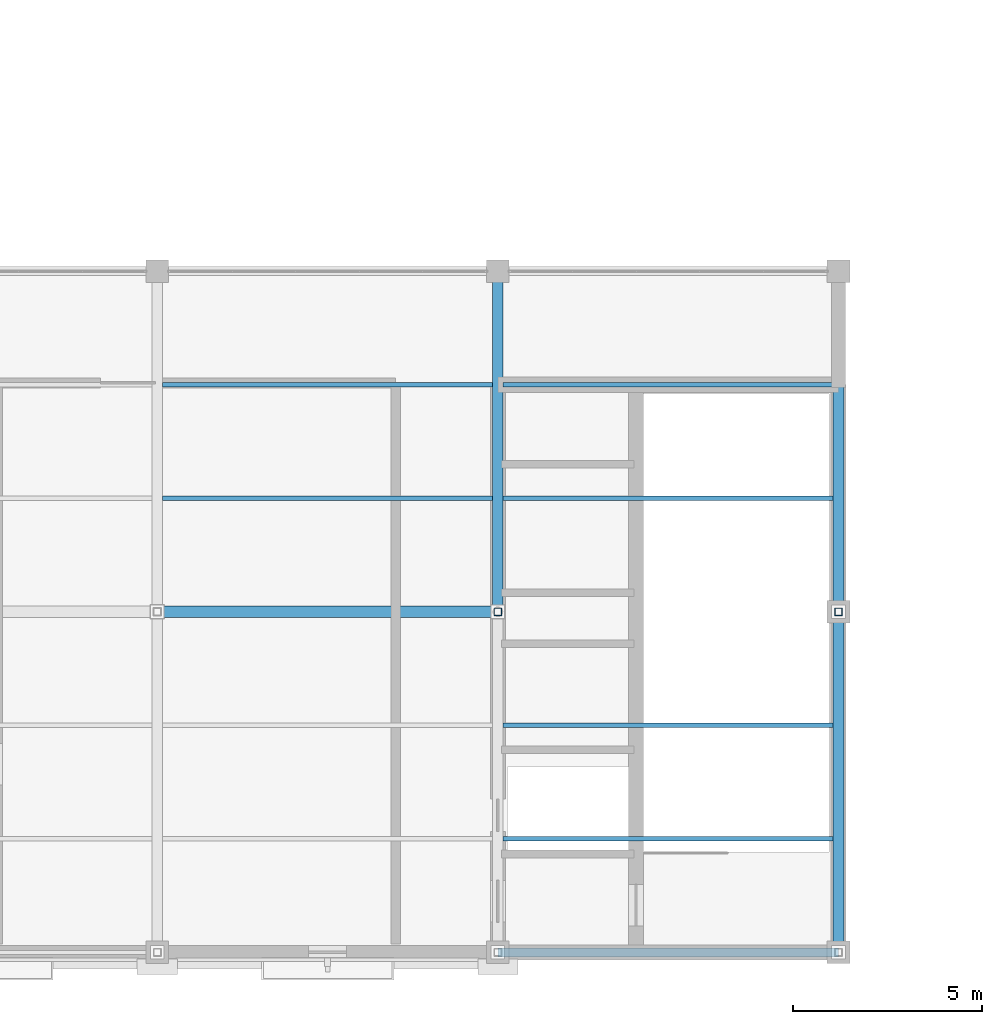
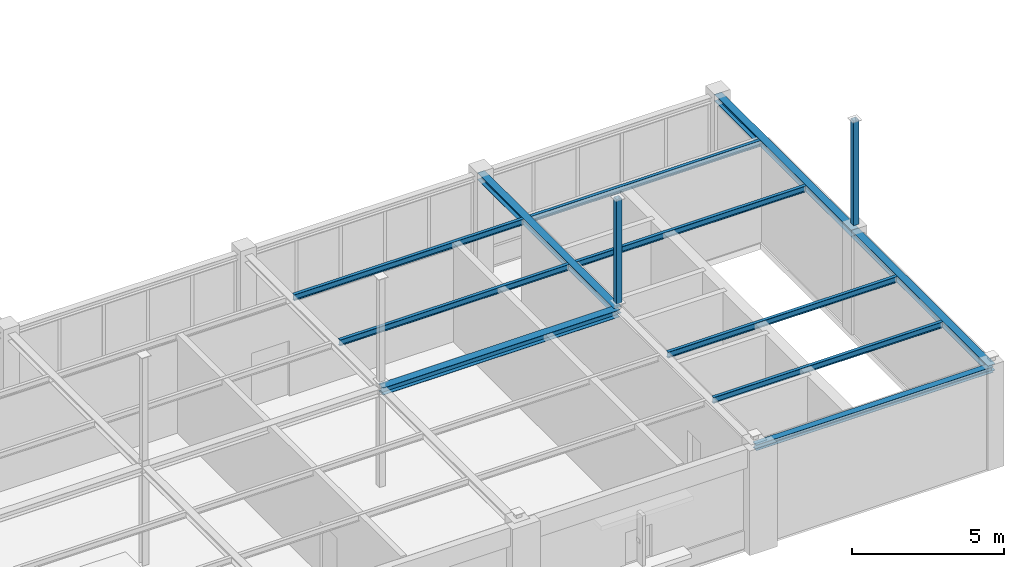
# One storey, part 42 of 97: 11 beams, 2 members.
"""IFC4 building model written with IfcOpenShell, lengths in metres."""

from ifc_helpers import new_model, si_unit, direction, frame, origin, origin_2d, place, context, subcontext, project, spatial, hollow_rectangle, i_section, extrude, material, material_profile, profile_set, type_object, element, save


model = new_model("IFC4")

# Units and contexts
model_context = context("Model", 3, precision=1e-05, world=origin(), true_north=direction((0.0, 1.0)))
body_context = subcontext(model_context, "Body", "Model", "MODEL_VIEW")
ifc_project = project(units=[si_unit("LENGTHUNIT", "METRE"), si_unit("AREAUNIT", "SQUARE_METRE"), si_unit("VOLUMEUNIT", "CUBIC_METRE"), si_unit("PLANEANGLEUNIT", "RADIAN"), si_unit("MASSUNIT", "GRAM", prefix="KILO")], contexts=[model_context])

# Site, building, storey
site_placement = place(None, origin())
site = spatial("IfcSite", under=ifc_project, at=site_placement, CompositionType="ELEMENT")
building_placement = place(site_placement, origin())
building = spatial("IfcBuilding", under=site, at=building_placement, Name="Lykobir Media Centre", CompositionType="ELEMENT")
storey_placement = place(building_placement, frame((0.0, 0.0, 23.39990234375)))
storey = spatial("IfcBuildingStorey", under=building, at=storey_placement, Name="L05", CompositionType="ELEMENT", Elevation=23.39990234375)

# Beams
ifc_material = material(Name="Steel S355", Category="steel")
ifc_material_profile_1 = material_profile(ifc_material, i_section(OverallWidth=0.280029296875, OverallDepth=0.27001953125, WebThickness=0.008056640625, FlangeThickness=0.012939453125, at=origin_2d()), Name="HEA 280")
ifc_profile_set_1 = profile_set([ifc_material_profile_1], Name="Steel S355")
beam_type_1 = type_object("IfcBeamType", Name="BM-HEA280", PredefinedType="BEAM", material=ifc_profile_set_1)
for number, where, z_axis, x_axis, name in (
    (1, (117.0, 9.0, 3.84521484375), (0.0, 1.0, 0.0), (-1.0, 0.0, 0.0), "Beam BM-L05-1170-0090-1170-0180-2724"),
    (2, (126.0, 0.0, 3.84521484375), (0.0, 1.0, 0.0), (-1.0, 0.0, 0.0), "Beam BM-L05-1260-0000-1260-0090-2724"),
    (3, (126.0, 9.0, 3.84521484375), (0.0, 1.0, 0.0), (-1.0, 0.0, 0.0), "Beam BM-L05-1260-0090-1260-0180-2724"),
):
    element("IfcBeam", number, at=place(storey_placement, frame(where, z_axis=z_axis, x_axis=x_axis)), inside=storey, type_object=beam_type_1, Name=name, PredefinedType="BEAM", context=body_context, shape_type="SweptSolid", body=[
        extrude(i_section(OverallWidth=0.280029296875, OverallDepth=0.27001953125, WebThickness=0.008056640625, FlangeThickness=0.012939453125, at=origin_2d()), origin(), (0.0, 0.0, 1.0), 9.0),
    ])
ifc_material_profile_2 = material_profile(ifc_material, i_section(OverallWidth=0.300048828125, OverallDepth=0.2900390625, WebThickness=0.008544921875, FlangeThickness=0.013916015625, at=origin_2d()), Name="HEA 300")
ifc_profile_set_2 = profile_set([ifc_material_profile_2], Name="Steel S355")
beam_type_2 = type_object("IfcBeamType", Name="BM-HEA300", PredefinedType="BEAM", material=ifc_profile_set_2)
beam_1_placement = place(storey_placement, frame((108.0, 9.0, 3.835205078125), z_axis=(1.0, 0.0, 0.0), x_axis=(0.0, 1.0, 0.0)))
element("IfcBeam", 4, at=beam_1_placement, inside=storey, type_object=beam_type_2, Name="Beam BM-L05-1080-0090-1170-0090-2724", PredefinedType="BEAM", context=body_context, shape_type="SweptSolid", body=[
    extrude(i_section(OverallWidth=0.300048828125, OverallDepth=0.2900390625, WebThickness=0.008544921875, FlangeThickness=0.013916015625, at=origin_2d()), origin(), (0.0, 0.0, 1.0), 9.0),
])
ifc_material_profile_3 = material_profile(ifc_material, i_section(OverallWidth=0.1201171875, OverallDepth=0.239990234375, WebThickness=0.006103515625, FlangeThickness=0.009765625, at=origin_2d()), Name="IPE 240")
ifc_profile_set_3 = profile_set([ifc_material_profile_3], Name="Steel S355")
beam_type_3 = type_object("IfcBeamType", Name="JS-IPE240", PredefinedType="JOIST", material=ifc_profile_set_3)
for number, where, z_axis, x_axis, name in (
    (5, (108.139892578125, 12.0, 3.860107421875), (1.0, 0.0, 0.0), (0.0, 1.0, 0.0), "Beam BM-L05-1081-0120-1169-0120-2726"),
    (6, (108.139892578125, 15.0, 3.860107421875), (1.0, 0.0, 0.0), (0.0, 1.0, 0.0), "Beam BM-L05-1081-0150-1169-0150-2726"),
    (7, (117.139892578125, 3.0, 3.860107421875), (1.0, 0.0, 0.0), (0.0, 1.0, 0.0), "Beam BM-L05-1171-0030-1259-0030-2726"),
    (8, (117.139892578125, 6.0, 3.860107421875), (1.0, 0.0, 0.0), (0.0, 1.0, 0.0), "Beam BM-L05-1171-0060-1259-0060-2726"),
    (9, (117.139892578125, 12.0, 3.860107421875), (1.0, 0.0, 0.0), (0.0, 1.0, 0.0), "Beam BM-L05-1171-0120-1259-0120-2726"),
    (10, (117.139892578125, 15.0, 3.860107421875), (1.0, 0.0, 0.0), (0.0, 1.0, 0.0), "Beam BM-L05-1171-0150-1259-0150-2726"),
):
    element("IfcBeam", number, at=place(storey_placement, frame(where, z_axis=z_axis, x_axis=x_axis)), inside=storey, type_object=beam_type_3, Name=name, PredefinedType="JOIST", context=body_context, shape_type="SweptSolid", body=[
        extrude(i_section(OverallWidth=0.1201171875, OverallDepth=0.239990234375, WebThickness=0.006103515625, FlangeThickness=0.009765625, at=origin_2d()), origin(), (0.0, 0.0, 1.0), 8.72021484375),
    ])
ifc_material_profile_4 = material_profile(ifc_material, i_section(OverallWidth=0.239990234375, OverallDepth=0.22998046875, WebThickness=0.007568359375, FlangeThickness=0.011962890625, at=origin_2d()), Name="HEA 240")
ifc_profile_set_4 = profile_set([ifc_material_profile_4], Name="Steel S355")
beam_type_4 = type_object("IfcBeamType", Name="SP-HEA240-E", PredefinedType="SPANDREL", material=ifc_profile_set_4)
beam_2_placement = place(storey_placement, frame((117.0, 0.0, 3.864990234375), z_axis=(1.0, 0.0, 0.0), x_axis=(0.0, 1.0, 0.0)))
element("IfcBeam", 11, at=beam_2_placement, inside=storey, type_object=beam_type_4, Name="Beam BM-L05-1170-0000-1260-0000-2726", PredefinedType="SPANDREL", context=body_context, shape_type="SweptSolid", body=[
    extrude(i_section(OverallWidth=0.239990234375, OverallDepth=0.22998046875, WebThickness=0.007568359375, FlangeThickness=0.011962890625, at=origin_2d()), origin(), (0.0, 0.0, 1.0), 9.0),
])

# Members
ifc_material_profile_5 = material_profile(ifc_material, hollow_rectangle(XDim=0.199951171875, YDim=0.199951171875, WallThickness=0.010009765625, at=origin_2d()), Name="SHS 200x200x10")
ifc_profile_set_5 = profile_set([ifc_material_profile_5], Name="Steel S355")
member_type = type_object("IfcMemberType", Name="TC-SHS200", PredefinedType="CHORD", material=ifc_profile_set_5)
for number, where, z_axis, x_axis, name in (
    (12, (117.0, 9.0, 4.2001953125), (0.0, 0.0, 1.0), (1.0, 0.0, 0.0), "Truss chord MEM2-L05-1170-0090-0276-1170-0090-0016"),
    (13, (126.0, 9.0, 4.2001953125), (0.0, 0.0, 1.0), (1.0, 0.0, 0.0), "Truss chord MEM2-L05-1260-0090-0276-1260-0090-0018"),
):
    element("IfcMember", number, at=place(storey_placement, frame(where, z_axis=z_axis, x_axis=x_axis)), inside=storey, type_object=member_type, Name=name, PredefinedType="CHORD", context=body_context, shape_type="SweptSolid", body=[
        extrude(hollow_rectangle(XDim=0.199951171875, YDim=0.199951171875, WallThickness=0.010009765625, at=origin_2d()), origin(), (0.0, 0.0, 1.0), 4.193603515625),
    ])

save(model, "model.ifc")
